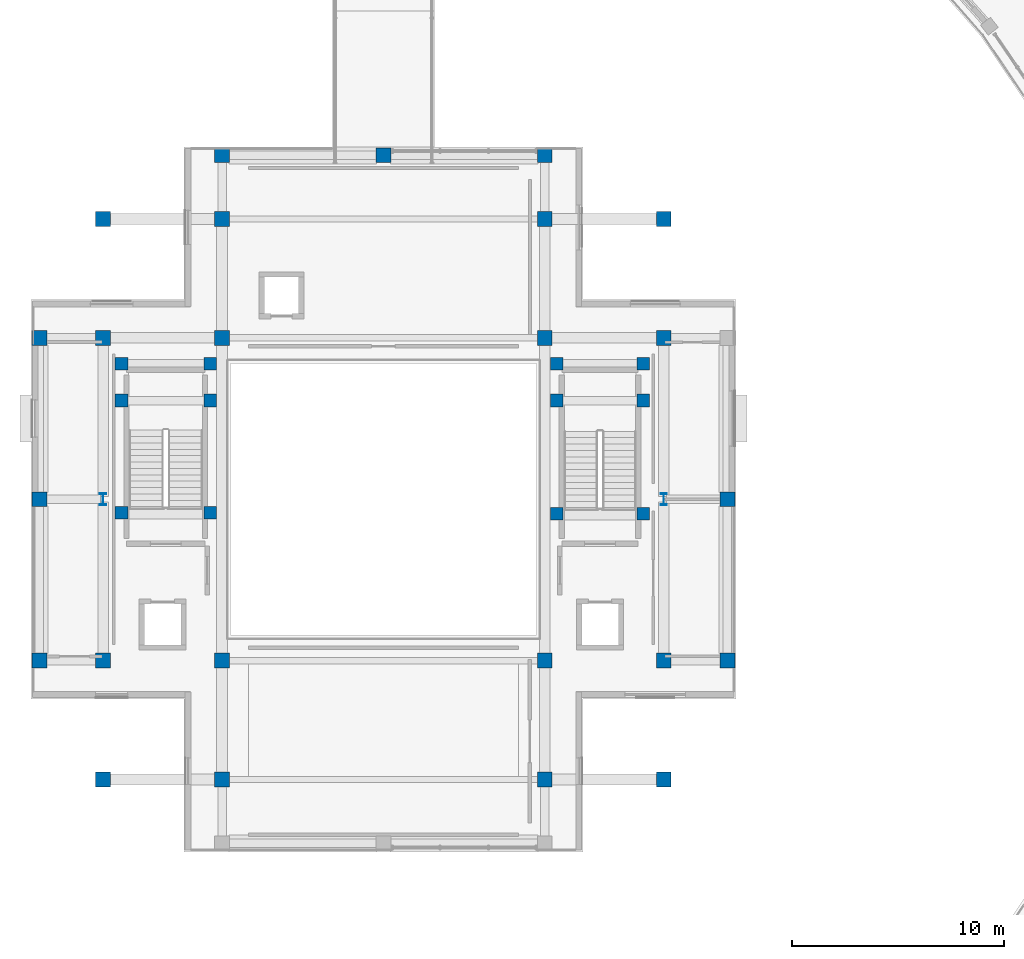
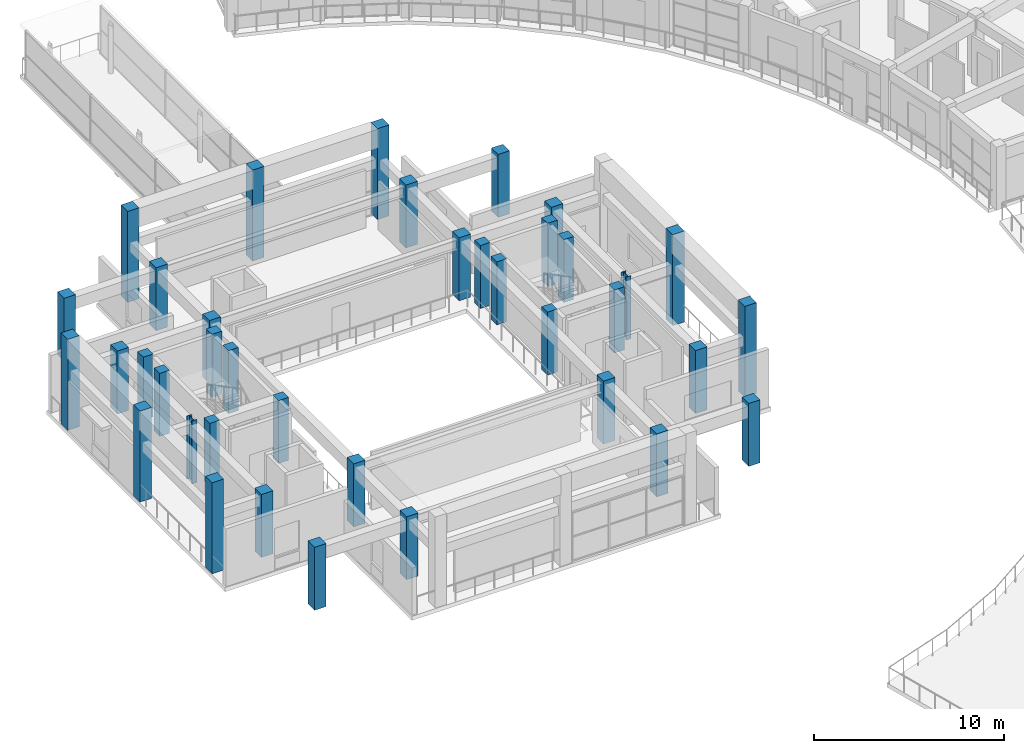
# One storey, part 3 of 29: 38 columns.
"""IFC4 building model written with IfcOpenShell, lengths in metres."""

from ifc_helpers import new_model, si_unit, direction, frame, origin, origin_2d, place, context, subcontext, project, spatial, rectangle, i_section, extrude, material, material_profile, profile_set, type_object, element, save


model = new_model("IFC4")

# Units and contexts
model_context = context("Model", 3, precision=1e-05, world=origin(), true_north=direction((0.0, 1.0)))
body_context = subcontext(model_context, "Body", "Model", "MODEL_VIEW")
ifc_project = project(units=[si_unit("LENGTHUNIT", "METRE"), si_unit("AREAUNIT", "SQUARE_METRE"), si_unit("VOLUMEUNIT", "CUBIC_METRE"), si_unit("PLANEANGLEUNIT", "RADIAN"), si_unit("MASSUNIT", "GRAM", prefix="KILO")], contexts=[model_context])

# Site, building, storey
site_placement = place(None, origin())
site = spatial("IfcSite", under=ifc_project, at=site_placement, CompositionType="ELEMENT")
building_placement = place(site_placement, origin())
building = spatial("IfcBuilding", under=site, at=building_placement, Name="Saryqyr Civic Hall", CompositionType="ELEMENT")
storey_placement = place(building_placement, frame((0.0, 0.0, 25.35009765625)))
storey = spatial("IfcBuildingStorey", under=building, at=storey_placement, Name="L06", CompositionType="ELEMENT", Elevation=25.35009765625)

# Columns
ifc_material_1 = material(Name="Steel S355", Category="steel")
ifc_material_profile_1 = material_profile(ifc_material_1, i_section(OverallWidth=0.300048828125, OverallDepth=0.550048828125, WebThickness=0.014892578125, FlangeThickness=0.029052734375, at=origin_2d()), Name="HEB 550")
ifc_profile_set_1 = profile_set([ifc_material_profile_1], Name="Steel S355")
column_type_1 = type_object("IfcColumnType", Name="STR-COL-HEB550-S355", PredefinedType="COLUMN", material=ifc_profile_set_1)
for number, where, z_axis, x_axis, name in (
    (1, (43.800048828125, 84.0, 0.0), (0.0, 0.0, 1.0), (1.0, 0.0, 0.0), "Column V1-GCOL-W-L06"),
    (2, (70.199951171875, 84.0, 0.0), (0.0, 0.0, 1.0), (1.0, 0.0, 0.0), "Column V1-GCOL-E-L06"),
):
    element("IfcColumn", number, at=place(storey_placement, frame(where, z_axis=z_axis, x_axis=x_axis)), inside=storey, type_object=column_type_1, Name=name, PredefinedType="COLUMN", context=body_context, shape_type="SweptSolid", body=[
        extrude(i_section(OverallWidth=0.300048828125, OverallDepth=0.550048828125, WebThickness=0.014892578125, FlangeThickness=0.029052734375, at=origin_2d()), origin(), (0.0, 0.0, 1.0), 4.0498046875),
    ])
ifc_material_2 = material(Name="Concrete C40/50", Category="concrete")
ifc_material_profile_2 = material_profile(ifc_material_2, rectangle(XDim=0.60009765625, YDim=0.60009765625, at=origin_2d()), Name="RC 600x600")
ifc_profile_set_2 = profile_set([ifc_material_profile_2], Name="Concrete C40/50")
column_type_2 = type_object("IfcColumnType", Name="STR-COL-RC600-C40", PredefinedType="COLUMN", material=ifc_profile_set_2)
for number, where, z_axis, x_axis, name in (
    (3, (48.840087890625, 83.364990234375, 0.0), (0.0, 0.0, 1.0), (1.0, 0.0, 0.0), "Column ST-1-SCOL-TRMA-L06"),
    (4, (44.659912109375, 83.364990234375, 0.0), (0.0, 0.0, 1.0), (1.0, 0.0, 0.0), "Column ST-1-SCOL-TRMB-L06"),
    (5, (48.840087890625, 88.64990234375, 0.0), (0.0, 0.0, 1.0), (1.0, 0.0, 0.0), "Column ST-1-SCOL-LND1A-L06"),
    (6, (44.659912109375, 88.64990234375, 0.0), (0.0, 0.0, 1.0), (1.0, 0.0, 0.0), "Column ST-1-SCOL-LND1B-L06"),
    (7, (48.840087890625, 90.3798828125, 0.0), (0.0, 0.0, 1.0), (1.0, 0.0, 0.0), "Column ST-1-SCOL-LND2A-L06"),
    (8, (44.659912109375, 90.3798828125, 0.0), (0.0, 0.0, 1.0), (1.0, 0.0, 0.0), "Column ST-1-SCOL-LND2B-L06"),
    (9, (69.239990234375, 83.31494140625, 0.0), (0.0, 0.0, 1.0), (1.0, 0.0, 0.0), "Column ST-2-SCOL-TRMA-L06"),
    (10, (65.159912109375, 83.31494140625, 0.0), (0.0, 0.0, 1.0), (1.0, 0.0, 0.0), "Column ST-2-SCOL-TRMB-L06"),
    (11, (69.239990234375, 88.64990234375, 0.0), (0.0, 0.0, 1.0), (1.0, 0.0, 0.0), "Column ST-2-SCOL-LND1A-L06"),
    (12, (65.159912109375, 88.64990234375, 0.0), (0.0, 0.0, 1.0), (1.0, 0.0, 0.0), "Column ST-2-SCOL-LND1B-L06"),
    (13, (69.239990234375, 90.3798828125, 0.0), (0.0, 0.0, 1.0), (1.0, 0.0, 0.0), "Column ST-2-SCOL-LND2A-L06"),
    (14, (65.159912109375, 90.3798828125, 0.0), (0.0, 0.0, 1.0), (1.0, 0.0, 0.0), "Column ST-2-SCOL-LND2B-L06"),
):
    element("IfcColumn", number, at=place(storey_placement, frame(where, z_axis=z_axis, x_axis=x_axis)), inside=storey, type_object=column_type_2, Name=name, PredefinedType="COLUMN", context=body_context, shape_type="SweptSolid", body=[
        extrude(rectangle(XDim=0.60009765625, YDim=0.60009765625, at=origin_2d()), origin(), (0.0, 0.0, 1.0), 4.0498046875),
    ])
ifc_material_profile_3 = material_profile(ifc_material_2, rectangle(XDim=0.699951171875, YDim=0.699951171875, at=origin_2d()), Name="RC 700x700")
ifc_profile_set_3 = profile_set([ifc_material_profile_3], Name="Concrete C40/50")
column_type_3 = type_object("IfcColumnType", Name="STR-COL-RC700-C40", PredefinedType="COLUMN", material=ifc_profile_set_3)
for number, where, z_axis, x_axis, name in (
    (15, (43.800048828125, 70.800048828125, 0.0), (0.0, 0.0, 1.0), (1.0, 0.0, 0.0), "Column V1-COL-C11-L06"),
    (16, (43.800048828125, 76.39990234375, 0.0), (0.0, 0.0, 1.0), (1.0, 0.0, 0.0), "Column V1-COL-C12-L06"),
    (17, (43.800048828125, 91.60009765625, 0.0), (0.0, 0.0, 1.0), (1.0, 0.0, 0.0), "Column V1-COL-C13-L06"),
    (18, (43.800048828125, 97.199951171875, 0.0), (0.0, 0.0, 1.0), (1.0, 0.0, 0.0), "Column V1-COL-C14-L06"),
    (19, (49.39990234375, 70.800048828125, 0.0), (0.0, 0.0, 1.0), (1.0, 0.0, 0.0), "Column V1-COL-C21-L06"),
    (20, (49.39990234375, 76.39990234375, 0.0), (0.0, 0.0, 1.0), (1.0, 0.0, 0.0), "Column V1-COL-C22-L06"),
    (21, (49.39990234375, 91.60009765625, 0.0), (0.0, 0.0, 1.0), (1.0, 0.0, 0.0), "Column V1-COL-C23-L06"),
    (22, (49.39990234375, 97.199951171875, 0.0), (0.0, 0.0, 1.0), (1.0, 0.0, 0.0), "Column V1-COL-C24-L06"),
    (23, (64.60009765625, 70.800048828125, 0.0), (0.0, 0.0, 1.0), (1.0, 0.0, 0.0), "Column V1-COL-C31-L06"),
    (24, (64.60009765625, 76.39990234375, 0.0), (0.0, 0.0, 1.0), (1.0, 0.0, 0.0), "Column V1-COL-C32-L06"),
    (25, (64.60009765625, 91.60009765625, 0.0), (0.0, 0.0, 1.0), (1.0, 0.0, 0.0), "Column V1-COL-C33-L06"),
    (26, (64.60009765625, 97.199951171875, 0.0), (0.0, 0.0, 1.0), (1.0, 0.0, 0.0), "Column V1-COL-C34-L06"),
    (27, (70.199951171875, 70.800048828125, 0.0), (0.0, 0.0, 1.0), (1.0, 0.0, 0.0), "Column V1-COL-C41-L06"),
    (28, (70.199951171875, 76.39990234375, 0.0), (0.0, 0.0, 1.0), (1.0, 0.0, 0.0), "Column V1-COL-C42-L06"),
    (29, (70.199951171875, 91.60009765625, 0.0), (0.0, 0.0, 1.0), (1.0, 0.0, 0.0), "Column V1-COL-C43-L06"),
    (30, (70.199951171875, 97.199951171875, 0.0), (0.0, 0.0, 1.0), (1.0, 0.0, 0.0), "Column V1-COL-C44-L06"),
):
    element("IfcColumn", number, at=place(storey_placement, frame(where, z_axis=z_axis, x_axis=x_axis)), inside=storey, type_object=column_type_3, Name=name, PredefinedType="COLUMN", context=body_context, shape_type="SweptSolid", body=[
        extrude(rectangle(XDim=0.699951171875, YDim=0.699951171875, at=origin_2d()), origin(), (0.0, 0.0, 1.0), 4.0498046875),
    ])
for number, where, z_axis, x_axis, name in (
    (31, (40.800048828125, 76.39990234375, 0.0), (0.0, 0.0, 1.0), (1.0, 0.0, 0.0), "Column V1-COL-S3P01-L06"),
    (32, (40.800048828125, 84.0, 0.0), (0.0, 0.0, 1.0), (1.0, 0.0, 0.0), "Column V1-COL-S3P02-L06"),
    (33, (40.800048828125, 91.60009765625, 0.0), (0.0, 0.0, 1.0), (1.0, 0.0, 0.0), "Column V1-COL-S3P03-L06"),
    (34, (73.199951171875, 76.39990234375, 0.0), (0.0, 0.0, 1.0), (1.0, 0.0, 0.0), "Column V1-COL-S3P04-L06"),
    (35, (73.199951171875, 84.0, 0.0), (0.0, 0.0, 1.0), (1.0, 0.0, 0.0), "Column V1-COL-S3P05-L06"),
    (36, (49.39990234375, 100.199951171875, 0.0), (0.0, 0.0, 1.0), (1.0, 0.0, 0.0), "Column V1-COL-S3P10-L06"),
    (37, (57.0, 100.199951171875, 0.0), (0.0, 0.0, 1.0), (1.0, 0.0, 0.0), "Column V1-COL-S3P11-L06"),
    (38, (64.60009765625, 100.199951171875, 0.0), (0.0, 0.0, 1.0), (1.0, 0.0, 0.0), "Column V1-COL-S3P12-L06"),
):
    element("IfcColumn", number, at=place(storey_placement, frame(where, z_axis=z_axis, x_axis=x_axis)), inside=storey, type_object=column_type_3, Name=name, PredefinedType="COLUMN", context=body_context, shape_type="SweptSolid", body=[
        extrude(rectangle(XDim=0.699951171875, YDim=0.699951171875, at=origin_2d()), origin(), (0.0, 0.0, 1.0), 5.849853515625),
    ])

save(model, "model.ifc")
